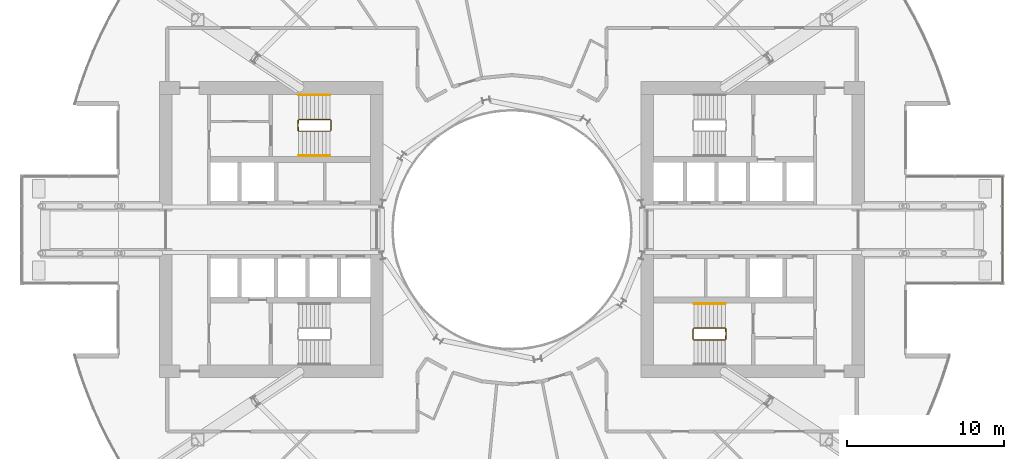
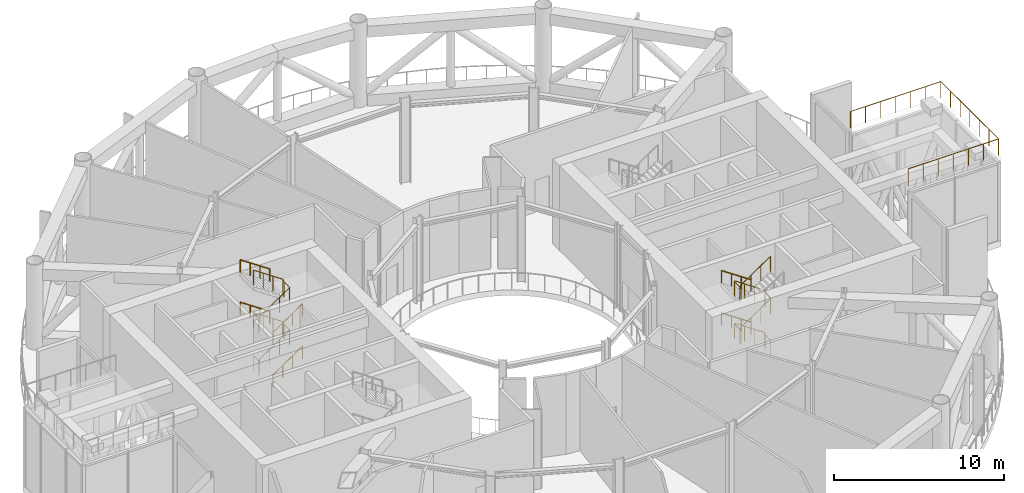
# One storey, part 20 of 22: 9 railings.
"""IFC4 building model written with IfcOpenShell, lengths in metres."""

from ifc_helpers import new_model, si_unit, direction, frame, origin, origin_2d, place, context, subcontext, project, spatial, circle, extrude, material, type_object, element, save


model = new_model("IFC4")

# Units and contexts
model_context = context("Model", 3, precision=1e-05, world=origin(), true_north=direction((0.0, 1.0)))
body_context = subcontext(model_context, "Body", "Model", "MODEL_VIEW")
ifc_project = project(units=[si_unit("LENGTHUNIT", "METRE"), si_unit("AREAUNIT", "SQUARE_METRE"), si_unit("VOLUMEUNIT", "CUBIC_METRE"), si_unit("PLANEANGLEUNIT", "RADIAN"), si_unit("MASSUNIT", "GRAM", prefix="KILO")], contexts=[model_context])

# Site, building, storey
site_placement = place(None, origin())
site = spatial("IfcSite", under=ifc_project, at=site_placement, CompositionType="ELEMENT")
building_placement = place(site_placement, origin())
building = spatial("IfcBuilding", under=site, at=building_placement, Name="Maasbend Ring Residences", CompositionType="ELEMENT")
storey_placement = place(building_placement, frame((0.0, 0.0, 57.5)))
storey = spatial("IfcBuildingStorey", under=building, at=storey_placement, Name="L16", CompositionType="ELEMENT", Elevation=57.5)

# Railings
ifc_material_1 = material(Name="Stainless steel 316 and glass", Category="steel")
railing_type_1 = type_object("IfcRailingType", Name="RL-GUARD", PredefinedType="GUARDRAIL", material=ifc_material_1)
railing_1_placement = place(storey_placement, frame((25.0, -3.39990234375, 6.10009765625)))
element("IfcRailing", 1, at=railing_1_placement, inside=storey, type_object=railing_type_1, Name="Roof terrace guard", PredefinedType="GUARDRAIL", context=body_context, shape_type="SweptSolid", body=[
    extrude(circle(Radius=0.02490234375, at=origin_2d()), frame((0.0, 0.0, 1.1748046875), z_axis=(1.0, 0.0, 0.0), x_axis=(0.0, 1.0, 0.0)), (0.0, 0.0, 1.0), 6.14990234375),
    extrude(circle(Radius=0.02490234375, at=origin_2d()), frame((6.14990234375, 0.0, 1.1748046875), z_axis=(0.0, 1.0, 0.0), x_axis=(-1.0, 0.0, 0.0)), (0.0, 0.0, 1.0), 6.7998046875),
    extrude(circle(Radius=0.02490234375, at=origin_2d()), frame((6.14990234375, 6.7998046875, 1.1748046875), z_axis=(-1.0, 0.0, 0.0), x_axis=(0.0, -1.0, 0.0)), (0.0, 0.0, 1.0), 6.14990234375),
    extrude(circle(Radius=0.02001953125, at=origin_2d()), origin(), (0.0, 0.0, 1.0), 1.14990234375),
    extrude(circle(Radius=0.02001953125, at=origin_2d()), frame((1.02490234375, 0.0, 0.0)), (0.0, 0.0, 1.0), 1.14990234375),
    extrude(circle(Radius=0.02001953125, at=origin_2d()), frame((2.050048828125, 0.0, 0.0)), (0.0, 0.0, 1.0), 1.14990234375),
    extrude(circle(Radius=0.02001953125, at=origin_2d()), frame((3.074951171875, 0.0, 0.0)), (0.0, 0.0, 1.0), 1.14990234375),
    extrude(circle(Radius=0.02001953125, at=origin_2d()), frame((4.099853515625, 0.0, 0.0)), (0.0, 0.0, 1.0), 1.14990234375),
    extrude(circle(Radius=0.02001953125, at=origin_2d()), frame((5.125, 0.0, 0.0)), (0.0, 0.0, 1.0), 1.14990234375),
    extrude(circle(Radius=0.02001953125, at=origin_2d()), frame((6.14990234375, 0.0, 0.0)), (0.0, 0.0, 1.0), 1.14990234375),
    extrude(circle(Radius=0.02001953125, at=origin_2d()), frame((6.14990234375, 1.13330078125, 0.0)), (0.0, 0.0, 1.0), 1.14990234375),
    extrude(circle(Radius=0.02001953125, at=origin_2d()), frame((6.14990234375, 2.2666015625, 0.0)), (0.0, 0.0, 1.0), 1.14990234375),
    extrude(circle(Radius=0.02001953125, at=origin_2d()), frame((6.14990234375, 3.39990234375, 0.0)), (0.0, 0.0, 1.0), 1.14990234375),
    extrude(circle(Radius=0.02001953125, at=origin_2d()), frame((6.14990234375, 4.533203125, 0.0)), (0.0, 0.0, 1.0), 1.14990234375),
    extrude(circle(Radius=0.02001953125, at=origin_2d()), frame((6.14990234375, 5.66650390625, 0.0)), (0.0, 0.0, 1.0), 1.14990234375),
    extrude(circle(Radius=0.02001953125, at=origin_2d()), frame((6.14990234375, 6.7998046875, 0.0)), (0.0, 0.0, 1.0), 1.14990234375),
    extrude(circle(Radius=0.02001953125, at=origin_2d()), frame((5.125, 6.7998046875, 0.0)), (0.0, 0.0, 1.0), 1.14990234375),
    extrude(circle(Radius=0.02001953125, at=origin_2d()), frame((4.099853515625, 6.7998046875, 0.0)), (0.0, 0.0, 1.0), 1.14990234375),
    extrude(circle(Radius=0.02001953125, at=origin_2d()), frame((3.074951171875, 6.7998046875, 0.0)), (0.0, 0.0, 1.0), 1.14990234375),
    extrude(circle(Radius=0.02001953125, at=origin_2d()), frame((2.050048828125, 6.7998046875, 0.0)), (0.0, 0.0, 1.0), 1.14990234375),
    extrude(circle(Radius=0.02001953125, at=origin_2d()), frame((1.02490234375, 6.7998046875, 0.0)), (0.0, 0.0, 1.0), 1.14990234375),
    extrude(circle(Radius=0.02001953125, at=origin_2d()), frame((0.0, 6.7998046875, 0.0)), (0.0, 0.0, 1.0), 1.14990234375),
])
ifc_material_2 = material(Name="Stainless steel 316", Category="steel")
railing_type_2 = type_object("IfcRailingType", Name="STAIR GUARD 1100", PredefinedType="GUARDRAIL", material=ifc_material_2)
railing_2_placement = place(storey_placement, frame((13.60009765625, -6.949951171875, 0.0)))
element("IfcRailing", 2, at=railing_2_placement, inside=storey, type_object=railing_type_2, Name="L16 ST-E2 stair guard 1", PredefinedType="GUARDRAIL", context=body_context, shape_type="SweptSolid", body=[
    extrude(circle(Radius=0.02392578125, at=origin_2d()), frame((0.0, 0.0, 1.076171875), z_axis=(0.0, 1.0, 0.0), x_axis=(-1.0, 0.0, 0.0)), (0.0, 0.0, 1.0), 0.64990234375),
    extrude(circle(Radius=0.02392578125, at=origin_2d()), frame((0.0, 0.64990234375, 1.076171875), z_axis=(-0.272562526181, 0.272562526181, 0.92272386912), x_axis=(-0.707106781187, -0.707106781187, 0.0)), (0.0, 0.0, 1.0), 0.18359375),
    extrude(circle(Radius=0.02392578125, at=origin_2d()), frame((-0.050048828125, 0.699951171875, 1.24560546875), z_axis=(-0.827797584762, 0.0, 0.561026878735), x_axis=(0.0, -1.0, 0.0)), (0.0, 0.0, 1.0), 2.416015625),
    extrude(circle(Radius=0.02392578125, at=origin_2d()), frame((-2.050048828125, 0.699951171875, 2.60107421875), z_axis=(-0.707106781187, -0.707106781187, 0.0), x_axis=(0.707106781187, -0.707106781187, 0.0)), (0.0, 0.0, 1.0), 0.07080078125),
    extrude(circle(Radius=0.02392578125, at=origin_2d()), frame((-2.10009765625, 0.64990234375, 2.60107421875), z_axis=(0.0, -1.0, 0.0), x_axis=(1.0, 0.0, 0.0)), (0.0, 0.0, 1.0), 0.64990234375),
    extrude(circle(Radius=0.02392578125, at=origin_2d()), frame((-2.10009765625, 0.0, 2.60107421875), z_axis=(0.272562526181, -0.272562526181, 0.92272386912), x_axis=(0.707106781187, 0.707106781187, 0.0)), (0.0, 0.0, 1.0), 0.18359375),
    extrude(circle(Radius=0.02392578125, at=origin_2d()), frame((-2.050048828125, -0.050048828125, 2.7705078125), z_axis=(0.827750655447, 0.0, 0.561096116906), x_axis=(0.0, 1.0, 0.0)), (0.0, 0.0, 1.0), 2.416259765625),
    extrude(circle(Radius=0.02392578125, at=origin_2d()), frame((-0.050048828125, -0.050048828125, 4.1259765625), z_axis=(0.071321223157, 0.997453398975, 0.0), x_axis=(-0.997453398975, 0.071321223157, 0.0)), (0.0, 0.0, 1.0), 0.70166015625),
    extrude(circle(Radius=0.02392578125, at=origin_2d()), frame((0.0, 0.64990234375, 4.1259765625), z_axis=(0.0, -1.0, 0.0), x_axis=(1.0, 0.0, 0.0)), (0.0, 0.0, 1.0), 0.64990234375),
    extrude(circle(Radius=0.02392578125, at=origin_2d()), frame((0.0, 0.0, 4.1259765625), z_axis=(-0.069328998915, 0.969591414091, 0.234704025594), x_axis=(-0.997453398975, -0.071321223157, 0.0)), (0.0, 0.0, 1.0), 0.721923828125),
    extrude(circle(Radius=0.02392578125, at=origin_2d()), frame((-0.050048828125, 0.699951171875, 4.29541015625), z_axis=(-0.827797584762, 0.0, 0.561026878735), x_axis=(0.0, -1.0, 0.0)), (0.0, 0.0, 1.0), 2.416015625),
    extrude(circle(Radius=0.02392578125, at=origin_2d()), frame((-2.050048828125, 0.699951171875, 5.65087890625), z_axis=(-0.707106781187, -0.707106781187, 0.0), x_axis=(0.707106781187, -0.707106781187, 0.0)), (0.0, 0.0, 1.0), 0.07080078125),
    extrude(circle(Radius=0.02392578125, at=origin_2d()), frame((-2.10009765625, 0.64990234375, 5.65087890625), z_axis=(0.0, -1.0, 0.0), x_axis=(1.0, 0.0, 0.0)), (0.0, 0.0, 1.0), 0.64990234375),
    extrude(circle(Radius=0.02392578125, at=origin_2d()), frame((-2.10009765625, 0.0, 5.65087890625), z_axis=(0.272562526181, -0.272562526181, 0.92272386912), x_axis=(0.707106781187, 0.707106781187, 0.0)), (0.0, 0.0, 1.0), 0.18359375),
    extrude(circle(Radius=0.02392578125, at=origin_2d()), frame((-2.050048828125, -0.050048828125, 5.8203125), z_axis=(0.827750655447, 0.0, 0.561096116906), x_axis=(0.0, 1.0, 0.0)), (0.0, 0.0, 1.0), 2.416259765625),
    extrude(circle(Radius=0.02099609375, at=origin_2d()), origin(), (0.0, 0.0, 1.0), 1.052001953125),
    extrude(circle(Radius=0.02099609375, at=origin_2d()), frame((0.0, 0.64990234375, 0.0)), (0.0, 0.0, 1.0), 1.052001953125),
    extrude(circle(Radius=0.02099609375, at=origin_2d()), frame((-0.050048828125, 0.699951171875, 0.16943359375)), (0.0, 0.0, 1.0), 1.052001953125),
    extrude(circle(Radius=0.02099609375, at=origin_2d()), frame((-0.716796875, 0.699951171875, 0.621337890625)), (0.0, 0.0, 1.0), 1.052001953125),
    extrude(circle(Radius=0.02099609375, at=origin_2d()), frame((-1.38330078125, 0.699951171875, 1.072998046875)), (0.0, 0.0, 1.0), 1.052001953125),
    extrude(circle(Radius=0.02099609375, at=origin_2d()), frame((-2.050048828125, 0.699951171875, 1.52490234375)), (0.0, 0.0, 1.0), 1.052001953125),
    extrude(circle(Radius=0.02099609375, at=origin_2d()), frame((-2.10009765625, 0.64990234375, 1.52490234375)), (0.0, 0.0, 1.0), 1.052001953125),
    extrude(circle(Radius=0.02099609375, at=origin_2d()), frame((-2.10009765625, 0.0, 1.52490234375)), (0.0, 0.0, 1.0), 1.052001953125),
    extrude(circle(Radius=0.02099609375, at=origin_2d()), frame((-2.050048828125, -0.050048828125, 1.6943359375)), (0.0, 0.0, 1.0), 1.052001953125),
    extrude(circle(Radius=0.02099609375, at=origin_2d()), frame((-1.38330078125, -0.050048828125, 2.146240234375)), (0.0, 0.0, 1.0), 1.052001953125),
    extrude(circle(Radius=0.02099609375, at=origin_2d()), frame((-0.716796875, -0.050048828125, 2.59814453125)), (0.0, 0.0, 1.0), 1.052001953125),
    extrude(circle(Radius=0.02099609375, at=origin_2d()), frame((-0.050048828125, -0.050048828125, 3.050048828125)), (0.0, 0.0, 1.0), 1.052001953125),
    extrude(circle(Radius=0.02099609375, at=origin_2d()), frame((0.0, 0.64990234375, 3.050048828125)), (0.0, 0.0, 1.0), 1.052001953125),
    extrude(circle(Radius=0.02099609375, at=origin_2d()), frame((0.0, 0.0, 3.050048828125)), (0.0, 0.0, 1.0), 1.052001953125),
    extrude(circle(Radius=0.02099609375, at=origin_2d()), frame((-0.050048828125, 0.699951171875, 3.219482421875)), (0.0, 0.0, 1.0), 1.052001953125),
    extrude(circle(Radius=0.02099609375, at=origin_2d()), frame((-0.716796875, 0.699951171875, 3.67138671875)), (0.0, 0.0, 1.0), 1.052001953125),
    extrude(circle(Radius=0.02099609375, at=origin_2d()), frame((-1.38330078125, 0.699951171875, 4.123046875)), (0.0, 0.0, 1.0), 1.052001953125),
    extrude(circle(Radius=0.02099609375, at=origin_2d()), frame((-2.050048828125, 0.699951171875, 4.574951171875)), (0.0, 0.0, 1.0), 1.052001953125),
    extrude(circle(Radius=0.02099609375, at=origin_2d()), frame((-2.10009765625, 0.64990234375, 4.574951171875)), (0.0, 0.0, 1.0), 1.052001953125),
    extrude(circle(Radius=0.02099609375, at=origin_2d()), frame((-2.10009765625, 0.0, 4.574951171875)), (0.0, 0.0, 1.0), 1.052001953125),
    extrude(circle(Radius=0.02099609375, at=origin_2d()), frame((-2.050048828125, -0.050048828125, 4.744384765625)), (0.0, 0.0, 1.0), 1.052001953125),
    extrude(circle(Radius=0.02099609375, at=origin_2d()), frame((-1.38330078125, -0.050048828125, 5.1962890625)), (0.0, 0.0, 1.0), 1.052001953125),
    extrude(circle(Radius=0.02099609375, at=origin_2d()), frame((-0.716796875, -0.050048828125, 5.648193359375)), (0.0, 0.0, 1.0), 1.052001953125),
    extrude(circle(Radius=0.02099609375, at=origin_2d()), frame((-0.050048828125, -0.050048828125, 6.10009765625)), (0.0, 0.0, 1.0), 1.052001953125),
])
railing_3_placement = place(storey_placement, frame((-13.60009765625, 6.949951171875, 0.0)))
element("IfcRailing", 3, at=railing_3_placement, inside=storey, type_object=railing_type_2, Name="L16 ST-W2 stair guard 1", PredefinedType="GUARDRAIL", context=body_context, shape_type="SweptSolid", body=[
    extrude(circle(Radius=0.02392578125, at=origin_2d()), frame((0.0, 0.0, 1.076171875), z_axis=(0.0, -1.0, 0.0), x_axis=(1.0, 0.0, 0.0)), (0.0, 0.0, 1.0), 0.64990234375),
    extrude(circle(Radius=0.02392578125, at=origin_2d()), frame((0.0, -0.64990234375, 1.076171875), z_axis=(0.272562526181, -0.272562526181, 0.92272386912), x_axis=(0.707106781187, 0.707106781187, 0.0)), (0.0, 0.0, 1.0), 0.18359375),
    extrude(circle(Radius=0.02392578125, at=origin_2d()), frame((0.050048828125, -0.699951171875, 1.24560546875), z_axis=(0.827797584762, 0.0, 0.561026878735), x_axis=(0.0, 1.0, 0.0)), (0.0, 0.0, 1.0), 2.416015625),
    extrude(circle(Radius=0.02392578125, at=origin_2d()), frame((2.050048828125, -0.699951171875, 2.60107421875), z_axis=(0.707106781187, 0.707106781187, 0.0), x_axis=(-0.707106781187, 0.707106781187, 0.0)), (0.0, 0.0, 1.0), 0.07080078125),
    extrude(circle(Radius=0.02392578125, at=origin_2d()), frame((2.10009765625, -0.64990234375, 2.60107421875), z_axis=(0.0, 1.0, 0.0), x_axis=(-1.0, 0.0, 0.0)), (0.0, 0.0, 1.0), 0.64990234375),
    extrude(circle(Radius=0.02392578125, at=origin_2d()), frame((2.10009765625, 0.0, 2.60107421875), z_axis=(-0.272562526181, 0.272562526181, 0.92272386912), x_axis=(-0.707106781187, -0.707106781187, 0.0)), (0.0, 0.0, 1.0), 0.18359375),
    extrude(circle(Radius=0.02392578125, at=origin_2d()), frame((2.050048828125, 0.050048828125, 2.7705078125), z_axis=(-0.827750655447, 0.0, 0.561096116906), x_axis=(0.0, -1.0, 0.0)), (0.0, 0.0, 1.0), 2.416259765625),
    extrude(circle(Radius=0.02392578125, at=origin_2d()), frame((0.050048828125, 0.050048828125, 4.1259765625), z_axis=(-0.071321223157, -0.997453398975, 0.0), x_axis=(0.997453398975, -0.071321223157, 0.0)), (0.0, 0.0, 1.0), 0.70166015625),
    extrude(circle(Radius=0.02392578125, at=origin_2d()), frame((0.0, -0.64990234375, 4.1259765625), z_axis=(0.0, 1.0, 0.0), x_axis=(-1.0, 0.0, 0.0)), (0.0, 0.0, 1.0), 0.64990234375),
    extrude(circle(Radius=0.02392578125, at=origin_2d()), frame((0.0, 0.0, 4.1259765625), z_axis=(0.069328998915, -0.969591414091, 0.234704025594), x_axis=(0.997453398975, 0.071321223157, 0.0)), (0.0, 0.0, 1.0), 0.721923828125),
    extrude(circle(Radius=0.02392578125, at=origin_2d()), frame((0.050048828125, -0.699951171875, 4.29541015625), z_axis=(0.827797584762, 0.0, 0.561026878735), x_axis=(0.0, 1.0, 0.0)), (0.0, 0.0, 1.0), 2.416015625),
    extrude(circle(Radius=0.02392578125, at=origin_2d()), frame((2.050048828125, -0.699951171875, 5.65087890625), z_axis=(0.707106781187, 0.707106781187, 0.0), x_axis=(-0.707106781187, 0.707106781187, 0.0)), (0.0, 0.0, 1.0), 0.07080078125),
    extrude(circle(Radius=0.02392578125, at=origin_2d()), frame((2.10009765625, -0.64990234375, 5.65087890625), z_axis=(0.0, 1.0, 0.0), x_axis=(-1.0, 0.0, 0.0)), (0.0, 0.0, 1.0), 0.64990234375),
    extrude(circle(Radius=0.02392578125, at=origin_2d()), frame((2.10009765625, 0.0, 5.65087890625), z_axis=(-0.272562526181, 0.272562526181, 0.92272386912), x_axis=(-0.707106781187, -0.707106781187, 0.0)), (0.0, 0.0, 1.0), 0.18359375),
    extrude(circle(Radius=0.02392578125, at=origin_2d()), frame((2.050048828125, 0.050048828125, 5.8203125), z_axis=(-0.827750655447, 0.0, 0.561096116906), x_axis=(0.0, -1.0, 0.0)), (0.0, 0.0, 1.0), 2.416259765625),
    extrude(circle(Radius=0.02099609375, at=origin_2d()), origin(), (0.0, 0.0, 1.0), 1.052001953125),
    extrude(circle(Radius=0.02099609375, at=origin_2d()), frame((0.0, -0.64990234375, 0.0)), (0.0, 0.0, 1.0), 1.052001953125),
    extrude(circle(Radius=0.02099609375, at=origin_2d()), frame((0.050048828125, -0.699951171875, 0.16943359375)), (0.0, 0.0, 1.0), 1.052001953125),
    extrude(circle(Radius=0.02099609375, at=origin_2d()), frame((0.716796875, -0.699951171875, 0.621337890625)), (0.0, 0.0, 1.0), 1.052001953125),
    extrude(circle(Radius=0.02099609375, at=origin_2d()), frame((1.38330078125, -0.699951171875, 1.072998046875)), (0.0, 0.0, 1.0), 1.052001953125),
    extrude(circle(Radius=0.02099609375, at=origin_2d()), frame((2.050048828125, -0.699951171875, 1.52490234375)), (0.0, 0.0, 1.0), 1.052001953125),
    extrude(circle(Radius=0.02099609375, at=origin_2d()), frame((2.10009765625, -0.64990234375, 1.52490234375)), (0.0, 0.0, 1.0), 1.052001953125),
    extrude(circle(Radius=0.02099609375, at=origin_2d()), frame((2.10009765625, 0.0, 1.52490234375)), (0.0, 0.0, 1.0), 1.052001953125),
    extrude(circle(Radius=0.02099609375, at=origin_2d()), frame((2.050048828125, 0.050048828125, 1.6943359375)), (0.0, 0.0, 1.0), 1.052001953125),
    extrude(circle(Radius=0.02099609375, at=origin_2d()), frame((1.38330078125, 0.050048828125, 2.146240234375)), (0.0, 0.0, 1.0), 1.052001953125),
    extrude(circle(Radius=0.02099609375, at=origin_2d()), frame((0.716796875, 0.050048828125, 2.59814453125)), (0.0, 0.0, 1.0), 1.052001953125),
    extrude(circle(Radius=0.02099609375, at=origin_2d()), frame((0.050048828125, 0.050048828125, 3.050048828125)), (0.0, 0.0, 1.0), 1.052001953125),
    extrude(circle(Radius=0.02099609375, at=origin_2d()), frame((0.0, -0.64990234375, 3.050048828125)), (0.0, 0.0, 1.0), 1.052001953125),
    extrude(circle(Radius=0.02099609375, at=origin_2d()), frame((0.0, 0.0, 3.050048828125)), (0.0, 0.0, 1.0), 1.052001953125),
    extrude(circle(Radius=0.02099609375, at=origin_2d()), frame((0.050048828125, -0.699951171875, 3.219482421875)), (0.0, 0.0, 1.0), 1.052001953125),
    extrude(circle(Radius=0.02099609375, at=origin_2d()), frame((0.716796875, -0.699951171875, 3.67138671875)), (0.0, 0.0, 1.0), 1.052001953125),
    extrude(circle(Radius=0.02099609375, at=origin_2d()), frame((1.38330078125, -0.699951171875, 4.123046875)), (0.0, 0.0, 1.0), 1.052001953125),
    extrude(circle(Radius=0.02099609375, at=origin_2d()), frame((2.050048828125, -0.699951171875, 4.574951171875)), (0.0, 0.0, 1.0), 1.052001953125),
    extrude(circle(Radius=0.02099609375, at=origin_2d()), frame((2.10009765625, -0.64990234375, 4.574951171875)), (0.0, 0.0, 1.0), 1.052001953125),
    extrude(circle(Radius=0.02099609375, at=origin_2d()), frame((2.10009765625, 0.0, 4.574951171875)), (0.0, 0.0, 1.0), 1.052001953125),
    extrude(circle(Radius=0.02099609375, at=origin_2d()), frame((2.050048828125, 0.050048828125, 4.744384765625)), (0.0, 0.0, 1.0), 1.052001953125),
    extrude(circle(Radius=0.02099609375, at=origin_2d()), frame((1.38330078125, 0.050048828125, 5.1962890625)), (0.0, 0.0, 1.0), 1.052001953125),
    extrude(circle(Radius=0.02099609375, at=origin_2d()), frame((0.716796875, 0.050048828125, 5.648193359375)), (0.0, 0.0, 1.0), 1.052001953125),
    extrude(circle(Radius=0.02099609375, at=origin_2d()), frame((0.050048828125, 0.050048828125, 6.10009765625)), (0.0, 0.0, 1.0), 1.052001953125),
])
ifc_material_3 = material(Name="Stainless steel 316", Category="steel")
railing_type_3 = type_object("IfcRailingType", Name="STAIR HANDRAIL 900", PredefinedType="HANDRAIL", material=ifc_material_3)
for number, where, name in (
    (4, (13.550048828125, -4.699951171875, 0.16943359375), "L16 ST-E2 stair handrail 1"),
    (5, (13.550048828125, -4.699951171875, 3.219482421875), "L16 ST-E2 stair handrail 3"),
):
    element("IfcRailing", number, at=place(storey_placement, frame(where)), inside=storey, type_object=railing_type_3, Name=name, PredefinedType="HANDRAIL", context=body_context, shape_type="SweptSolid", body=[
        extrude(circle(Radius=0.02392578125, at=origin_2d()), frame((0.0, 0.0, 0.8759765625), z_axis=(-0.827797584762, 0.0, 0.561026878735), x_axis=(0.0, -1.0, 0.0)), (0.0, 0.0, 1.0), 2.416015625),
        extrude(circle(Radius=0.02099609375, at=origin_2d()), origin(), (0.0, 0.0, 1.0), 0.851806640625),
        extrude(circle(Radius=0.02099609375, at=origin_2d()), frame((-0.666748046875, 0.0, 0.451904296875)), (0.0, 0.0, 1.0), 0.851806640625),
        extrude(circle(Radius=0.02099609375, at=origin_2d()), frame((-1.333251953125, 0.0, 0.903564453125)), (0.0, 0.0, 1.0), 0.851806640625),
        extrude(circle(Radius=0.02099609375, at=origin_2d()), frame((-2.0, 0.0, 1.35546875)), (0.0, 0.0, 1.0), 0.851806640625),
    ])
railing_4_placement = place(storey_placement, frame((-13.550048828125, 4.699951171875, 0.16943359375)))
element("IfcRailing", 6, at=railing_4_placement, inside=storey, type_object=railing_type_3, Name="L16 ST-W2 stair handrail 1", PredefinedType="HANDRAIL", context=body_context, shape_type="SweptSolid", body=[
    extrude(circle(Radius=0.02392578125, at=origin_2d()), frame((0.0, 0.0, 0.8759765625), z_axis=(0.827797584762, 0.0, 0.561026878735), x_axis=(0.0, 1.0, 0.0)), (0.0, 0.0, 1.0), 2.416015625),
    extrude(circle(Radius=0.02099609375, at=origin_2d()), origin(), (0.0, 0.0, 1.0), 0.851806640625),
    extrude(circle(Radius=0.02099609375, at=origin_2d()), frame((0.666748046875, 0.0, 0.451904296875)), (0.0, 0.0, 1.0), 0.851806640625),
    extrude(circle(Radius=0.02099609375, at=origin_2d()), frame((1.333251953125, 0.0, 0.903564453125)), (0.0, 0.0, 1.0), 0.851806640625),
    extrude(circle(Radius=0.02099609375, at=origin_2d()), frame((2.0, 0.0, 1.35546875)), (0.0, 0.0, 1.0), 0.851806640625),
])
railing_5_placement = place(storey_placement, frame((-11.550048828125, 8.550048828125, 1.6943359375)))
element("IfcRailing", 7, at=railing_5_placement, inside=storey, type_object=railing_type_3, Name="L16 ST-W2 stair handrail 2", PredefinedType="HANDRAIL", context=body_context, shape_type="SweptSolid", body=[
    extrude(circle(Radius=0.02392578125, at=origin_2d()), frame((0.0, 0.0, 0.8759765625), z_axis=(-0.827750655447, 0.0, 0.561096116906), x_axis=(0.0, -1.0, 0.0)), (0.0, 0.0, 1.0), 2.416259765625),
    extrude(circle(Radius=0.02099609375, at=origin_2d()), origin(), (0.0, 0.0, 1.0), 0.851806640625),
    extrude(circle(Radius=0.02099609375, at=origin_2d()), frame((-0.666748046875, 0.0, 0.451904296875)), (0.0, 0.0, 1.0), 0.851806640625),
    extrude(circle(Radius=0.02099609375, at=origin_2d()), frame((-1.333251953125, 0.0, 0.90380859375)), (0.0, 0.0, 1.0), 0.851806640625),
    extrude(circle(Radius=0.02099609375, at=origin_2d()), frame((-2.0, 0.0, 1.355712890625)), (0.0, 0.0, 1.0), 0.851806640625),
])
railing_6_placement = place(storey_placement, frame((-13.550048828125, 4.699951171875, 3.219482421875)))
element("IfcRailing", 8, at=railing_6_placement, inside=storey, type_object=railing_type_3, Name="L16 ST-W2 stair handrail 3", PredefinedType="HANDRAIL", context=body_context, shape_type="SweptSolid", body=[
    extrude(circle(Radius=0.02392578125, at=origin_2d()), frame((0.0, 0.0, 0.8759765625), z_axis=(0.827797584762, 0.0, 0.561026878735), x_axis=(0.0, 1.0, 0.0)), (0.0, 0.0, 1.0), 2.416015625),
    extrude(circle(Radius=0.02099609375, at=origin_2d()), origin(), (0.0, 0.0, 1.0), 0.851806640625),
    extrude(circle(Radius=0.02099609375, at=origin_2d()), frame((0.666748046875, 0.0, 0.451904296875)), (0.0, 0.0, 1.0), 0.851806640625),
    extrude(circle(Radius=0.02099609375, at=origin_2d()), frame((1.333251953125, 0.0, 0.903564453125)), (0.0, 0.0, 1.0), 0.851806640625),
    extrude(circle(Radius=0.02099609375, at=origin_2d()), frame((2.0, 0.0, 1.35546875)), (0.0, 0.0, 1.0), 0.851806640625),
])
railing_7_placement = place(storey_placement, frame((-11.550048828125, 8.550048828125, 4.744384765625)))
element("IfcRailing", 9, at=railing_7_placement, inside=storey, type_object=railing_type_3, Name="L16 ST-W2 stair handrail 4", PredefinedType="HANDRAIL", context=body_context, shape_type="SweptSolid", body=[
    extrude(circle(Radius=0.02392578125, at=origin_2d()), frame((0.0, 0.0, 0.8759765625), z_axis=(-0.827750655447, 0.0, 0.561096116906), x_axis=(0.0, -1.0, 0.0)), (0.0, 0.0, 1.0), 2.416259765625),
    extrude(circle(Radius=0.02099609375, at=origin_2d()), origin(), (0.0, 0.0, 1.0), 0.851806640625),
    extrude(circle(Radius=0.02099609375, at=origin_2d()), frame((-0.666748046875, 0.0, 0.451904296875)), (0.0, 0.0, 1.0), 0.851806640625),
    extrude(circle(Radius=0.02099609375, at=origin_2d()), frame((-1.333251953125, 0.0, 0.90380859375)), (0.0, 0.0, 1.0), 0.851806640625),
    extrude(circle(Radius=0.02099609375, at=origin_2d()), frame((-2.0, 0.0, 1.355712890625)), (0.0, 0.0, 1.0), 0.851806640625),
])

save(model, "model.ifc")
